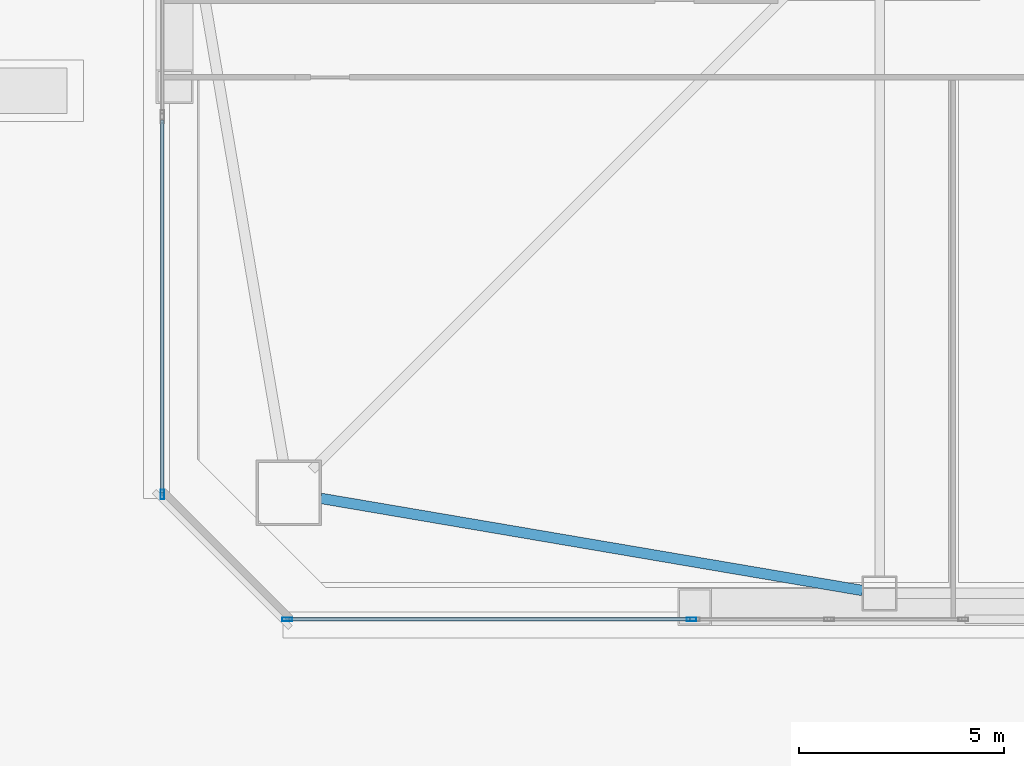
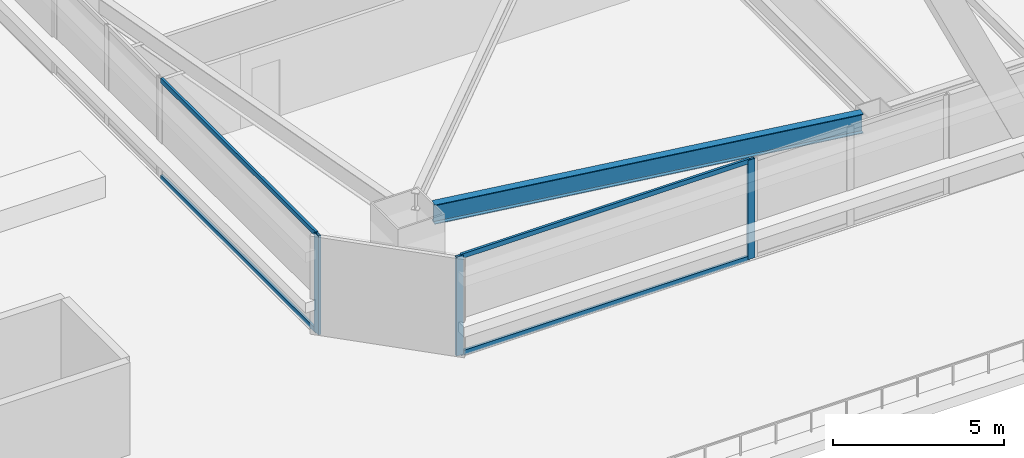
# One storey, part 5 of 83: 7 members, 1 beam, 2 elements without a shape of their own.
"""IFC4 building model written with IfcOpenShell, lengths in metres."""

from ifc_helpers import new_model, si_unit, direction, frame, origin, origin_2d, place, context, subcontext, project, spatial, hollow_rectangle, i_section, extrude, material, material_profile, profile_set, type_object, element, aggregate, save


model = new_model("IFC4")

# Units and contexts
model_context = context("Model", 3, precision=1e-05, world=origin(), true_north=direction((0.0, 1.0)))
body_context = subcontext(model_context, "Body", "Model", "MODEL_VIEW")
ifc_project = project(units=[si_unit("LENGTHUNIT", "METRE"), si_unit("AREAUNIT", "SQUARE_METRE"), si_unit("VOLUMEUNIT", "CUBIC_METRE"), si_unit("PLANEANGLEUNIT", "RADIAN"), si_unit("MASSUNIT", "GRAM", prefix="KILO")], contexts=[model_context])

# Site, building, storey
site_placement = place(None, origin())
site = spatial("IfcSite", under=ifc_project, at=site_placement, CompositionType="ELEMENT")
building_placement = place(site_placement, origin())
building = spatial("IfcBuilding", under=site, at=building_placement, Name="Tashvorn Skyway Center", CompositionType="ELEMENT")
storey_placement = place(building_placement, frame((0.0, 0.0, 24.60009765625)))
storey = spatial("IfcBuildingStorey", under=building, at=storey_placement, Name="L05", CompositionType="ELEMENT", Elevation=24.60009765625)

# Beam
ifc_material_1 = material(Name="Steel ASTM A992 Grade 50", Category="steel")
ifc_material_profile_1 = material_profile(ifc_material_1, i_section(OverallWidth=0.256103515625, OverallDepth=0.693115234375, WebThickness=0.014404296875, FlangeThickness=0.023681640625, at=origin_2d()), Name="W27X114")
ifc_profile_set_1 = profile_set([ifc_material_profile_1], Name="Steel ASTM A992 Grade 50")
beam_type = type_object("IfcBeamType", Name="BM-SPANDREL-W27X114", PredefinedType="SPANDREL", material=ifc_profile_set_1)
beam_placement = place(storey_placement, frame((22.983642578125, 12.066650390625, 3.00341796875), z_axis=(0.985835025551, -0.16771792509, 0.0), x_axis=(0.16771792509, 0.985835025551, 0.0)))
element("IfcBeam", 1, at=beam_placement, inside=storey, type_object=beam_type, Name="Tower 1 L05 Spandrel Beam 01", PredefinedType="SPANDREL", context=body_context, shape_type="SweptSolid", body=[
    extrude(i_section(OverallWidth=0.256103515625, OverallDepth=0.693115234375, WebThickness=0.014404296875, FlangeThickness=0.023681640625, at=origin_2d()), origin(), (0.0, 0.0, 1.0), 13.39208984375),
])

# Curtain wall, members
ifc_material_2 = material(Name="Thermally broken bronze-anodized aluminium 6063-T6", Category="aluminium")
curtain_wall_type = type_object("IfcCurtainWallType", Name="CW-CW-Z1", PredefinedType="NOTDEFINED", material=ifc_material_2)
curtain_wall_1_placement = place(storey_placement, origin())
curtain_wall_1 = element("IfcCurtainWall", 2, at=curtain_wall_1_placement, inside=storey, type_object=curtain_wall_type, Name="Tower 1 L05 South Unitised Curtain Wall Glazing Group 4", PredefinedType="NOTDEFINED")
ifc_material_profile_2 = material_profile(ifc_material_2, hollow_rectangle(XDim=0.0849609375, YDim=0.239990234375, WallThickness=0.0048828125, at=origin_2d()), Name="ALU-MULL-85x240")
ifc_profile_set_2 = profile_set([ifc_material_profile_2], Name="Thermally broken bronze-anodized aluminium 6063-T6")
member_type_1 = type_object("IfcMemberType", Name="CWM-CW-Z1", PredefinedType="MULLION", material=ifc_profile_set_2)
member_1_placement = place(storey_placement, frame((32.017578125, 9.1201171875, 0.0), z_axis=(0.0, 0.0, 1.0), x_axis=(0.0, -1.0, 0.0)))
member_1 = element("IfcMember", 3, at=member_1_placement, type_object=member_type_1, Name="CW-Z1 mullion 1", PredefinedType="MULLION", context=body_context, shape_type="SweptSolid", body=[
    extrude(hollow_rectangle(XDim=0.0849609375, YDim=0.239990234375, WallThickness=0.0048828125, at=origin_2d()), origin(), (0.0, 0.0, 1.0), 3.5498046875),
])
member_2_placement = place(storey_placement, frame((22.16259765625, 9.1201171875, 0.0), z_axis=(0.0, 0.0, 1.0), x_axis=(0.0, -1.0, 0.0)))
member_2 = element("IfcMember", 4, at=member_2_placement, type_object=member_type_1, Name="CW-Z1 mullion 2", PredefinedType="MULLION", context=body_context, shape_type="SweptSolid", body=[
    extrude(hollow_rectangle(XDim=0.0849609375, YDim=0.239990234375, WallThickness=0.0048828125, at=origin_2d()), origin(), (0.0, 0.0, 1.0), 3.5498046875),
])

# Curtain wall, member
curtain_wall_2_placement = place(storey_placement, origin())
curtain_wall_2 = element("IfcCurtainWall", 5, at=curtain_wall_2_placement, inside=storey, type_object=curtain_wall_type, Name="Tower 1 L05 West Unitised Curtain Wall L Glazing Group 1", PredefinedType="NOTDEFINED")
member_3_placement = place(storey_placement, frame((19.1201171875, 12.16259765625, 0.0), z_axis=(0.0, 0.0, 1.0), x_axis=(-1.0, 0.0, 0.0)))
member_3 = element("IfcMember", 6, at=member_3_placement, type_object=member_type_1, Name="CW-Z1 mullion 1", PredefinedType="MULLION", context=body_context, shape_type="SweptSolid", body=[
    extrude(hollow_rectangle(XDim=0.0849609375, YDim=0.239990234375, WallThickness=0.0048828125, at=origin_2d()), origin(), (0.0, 0.0, 1.0), 3.5498046875),
])

# Member
ifc_material_profile_3 = material_profile(ifc_material_2, hollow_rectangle(XDim=0.0849609375, YDim=0.1650390625, WallThickness=0.0048828125, at=origin_2d()), Name="ALU-TRAN-85x165")
ifc_profile_set_3 = profile_set([ifc_material_profile_3], Name="Thermally broken bronze-anodized aluminium 6063-T6")
member_type_2 = type_object("IfcMemberType", Name="CWT-CW-Z1", PredefinedType="USERDEFINED", material=ifc_profile_set_3)
member_4_placement = place(storey_placement, frame((31.97509765625, 9.1201171875, 0.04248046875), z_axis=(-1.0, 0.0, 0.0), x_axis=(0.0, -1.0, 0.0)))
member_4 = element("IfcMember", 7, at=member_4_placement, type_object=member_type_2, Name="CW-Z1 transom 1.1", ObjectType="TRANSOM", PredefinedType="USERDEFINED", context=body_context, shape_type="SweptSolid", body=[
    extrude(hollow_rectangle(XDim=0.0849609375, YDim=0.1650390625, WallThickness=0.0048828125, at=origin_2d()), origin(), (0.0, 0.0, 1.0), 9.77001953125),
])

member_5_placement = place(storey_placement, frame((31.97509765625, 9.1201171875, 3.50732421875), z_axis=(-1.0, 0.0, 0.0), x_axis=(0.0, -1.0, 0.0)))
member_5 = element("IfcMember", 8, at=member_5_placement, type_object=member_type_2, Name="CW-Z1 transom 1.2", ObjectType="TRANSOM", PredefinedType="USERDEFINED", context=body_context, shape_type="SweptSolid", body=[
    extrude(hollow_rectangle(XDim=0.0849609375, YDim=0.1650390625, WallThickness=0.0048828125, at=origin_2d()), origin(), (0.0, 0.0, 1.0), 9.77001953125),
])

aggregate(curtain_wall_1, [member_1, member_2, member_4, member_5])

member_6_placement = place(storey_placement, frame((19.1201171875, 12.205078125, 0.04248046875), z_axis=(0.0, 1.0, 0.0), x_axis=(-1.0, 0.0, 0.0)))
member_6 = element("IfcMember", 9, at=member_6_placement, type_object=member_type_2, Name="CW-Z1 transom 1.1", ObjectType="TRANSOM", PredefinedType="USERDEFINED", context=body_context, shape_type="SweptSolid", body=[
    extrude(hollow_rectangle(XDim=0.0849609375, YDim=0.1650390625, WallThickness=0.0048828125, at=origin_2d()), origin(), (0.0, 0.0, 1.0), 9.0791015625),
])

member_7_placement = place(storey_placement, frame((19.1201171875, 12.205078125, 3.50732421875), z_axis=(0.0, 1.0, 0.0), x_axis=(-1.0, 0.0, 0.0)))
member_7 = element("IfcMember", 10, at=member_7_placement, type_object=member_type_2, Name="CW-Z1 transom 1.2", ObjectType="TRANSOM", PredefinedType="USERDEFINED", context=body_context, shape_type="SweptSolid", body=[
    extrude(hollow_rectangle(XDim=0.0849609375, YDim=0.1650390625, WallThickness=0.0048828125, at=origin_2d()), origin(), (0.0, 0.0, 1.0), 9.0791015625),
])

aggregate(curtain_wall_2, [member_3, member_6, member_7])

save(model, "model.ifc")
